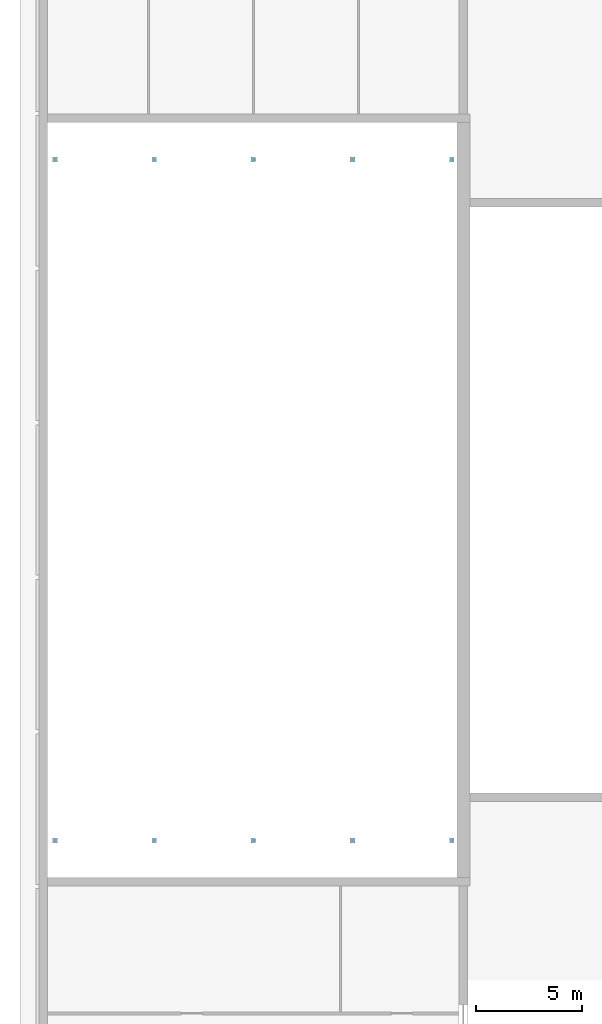
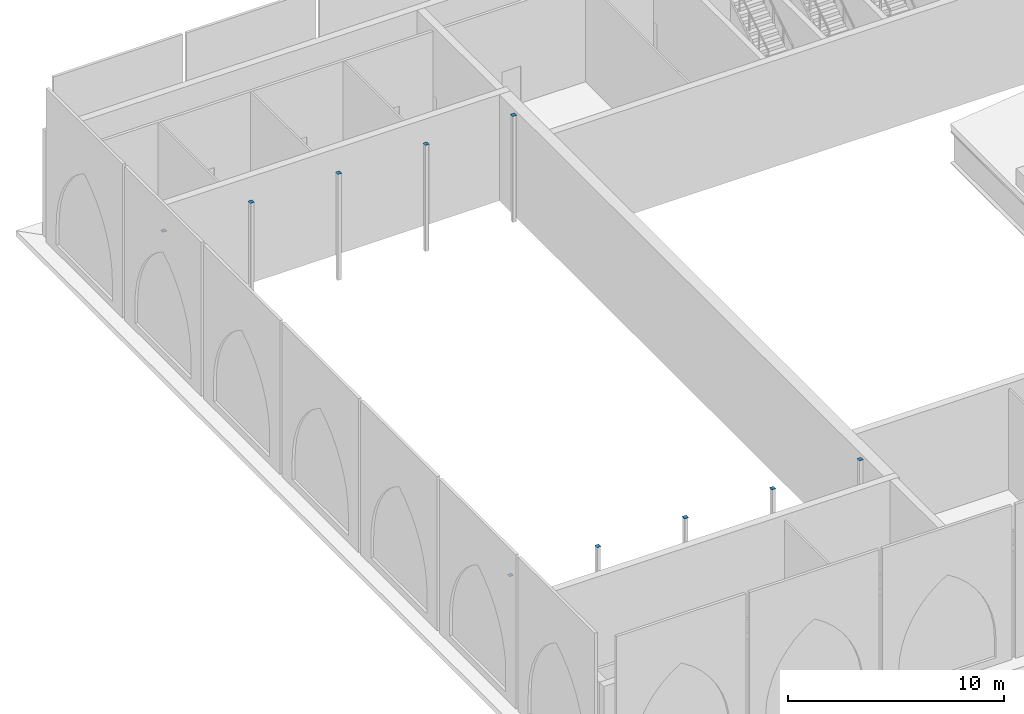
# One storey, part 29 of 74: 10 discrete accessories.
"""IFC4 building model written with IfcOpenShell, lengths in metres."""

from ifc_helpers import new_model, si_unit, direction, frame, origin, origin_2d, place, context, subcontext, project, spatial, rectangle, extrude, material, layer, layer_set, type_object, element, save


model = new_model("IFC4")

# Units and contexts
model_context = context("Model", 3, precision=1e-05, world=origin(), true_north=direction((0.0, 1.0)))
body_context = subcontext(model_context, "Body", "Model", "MODEL_VIEW")
ifc_project = project(units=[si_unit("LENGTHUNIT", "METRE"), si_unit("AREAUNIT", "SQUARE_METRE"), si_unit("VOLUMEUNIT", "CUBIC_METRE"), si_unit("PLANEANGLEUNIT", "RADIAN"), si_unit("MASSUNIT", "GRAM", prefix="KILO")], contexts=[model_context])

# Site, building, storey
site_placement = place(None, origin())
site = spatial("IfcSite", under=ifc_project, at=site_placement, CompositionType="ELEMENT")
building_placement = place(site_placement, origin())
building = spatial("IfcBuilding", under=site, at=building_placement, Name="Noorbagh Ring Tower", CompositionType="ELEMENT")
storey_placement = place(building_placement, frame((0.0, 0.0, 13.5)))
storey = spatial("IfcBuildingStorey", under=building, at=storey_placement, Name="L02", CompositionType="ELEMENT", Elevation=13.5)

# Discrete accessories
ifc_material = material(Name="Steel S355", Category="steel")
ifc_layer = layer(ifc_material, 0.011962890625)
ifc_layer_set = layer_set([ifc_layer], Name="Steel S355")
discrete_accessory_type = type_object("IfcDiscreteAccessoryType", Name="TH-POST-CAP", PredefinedType="BRACKET", material=ifc_layer_set)
for number, where, z_axis, x_axis, name in (
    (1, (-159.25, -11.050048828125, 6.0), (0.0, 0.0, 1.0), (1.0, 0.0, 0.0), "Gallery post cap S1"),
    (2, (-154.574951171875, -11.050048828125, 6.0), (0.0, 0.0, 1.0), (1.0, 0.0, 0.0), "Gallery post cap S2"),
    (3, (-149.89990234375, -11.050048828125, 6.0), (0.0, 0.0, 1.0), (1.0, 0.0, 0.0), "Gallery post cap S3"),
    (4, (-145.22509765625, -11.050048828125, 6.0), (0.0, 0.0, 1.0), (1.0, 0.0, 0.0), "Gallery post cap S4"),
    (5, (-140.550048828125, -11.050048828125, 6.0), (0.0, 0.0, 1.0), (1.0, 0.0, 0.0), "Gallery post cap S5"),
    (6, (-159.25, 21.050048828125, 6.0), (0.0, 0.0, 1.0), (1.0, 0.0, 0.0), "Gallery post cap N1"),
    (7, (-154.574951171875, 21.050048828125, 6.0), (0.0, 0.0, 1.0), (1.0, 0.0, 0.0), "Gallery post cap N2"),
    (8, (-149.89990234375, 21.050048828125, 6.0), (0.0, 0.0, 1.0), (1.0, 0.0, 0.0), "Gallery post cap N3"),
    (9, (-145.22509765625, 21.050048828125, 6.0), (0.0, 0.0, 1.0), (1.0, 0.0, 0.0), "Gallery post cap N4"),
    (10, (-140.550048828125, 21.050048828125, 6.0), (0.0, 0.0, 1.0), (1.0, 0.0, 0.0), "Gallery post cap N5"),
):
    element("IfcDiscreteAccessory", number, at=place(storey_placement, frame(where, z_axis=z_axis, x_axis=x_axis)), inside=storey, type_object=discrete_accessory_type, Name=name, PredefinedType="BRACKET", context=body_context, shape_type="SweptSolid", body=[
        extrude(rectangle(XDim=0.219970703125, YDim=0.219970703125, at=origin_2d()), origin(), (0.0, 0.0, 1.0), 0.011962890625),
    ])

save(model, "model.ifc")
